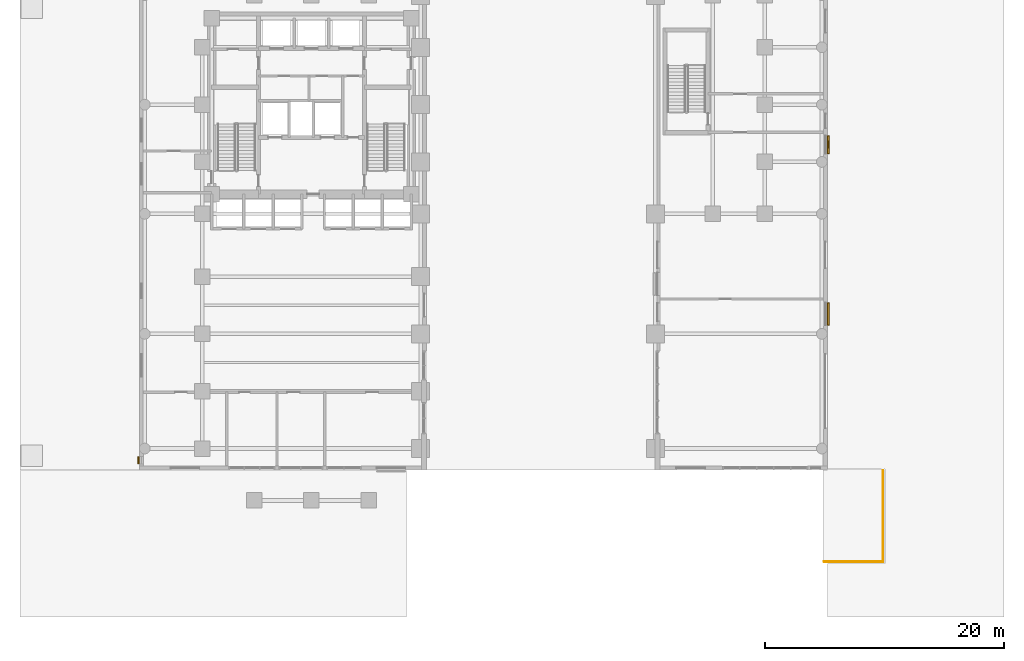
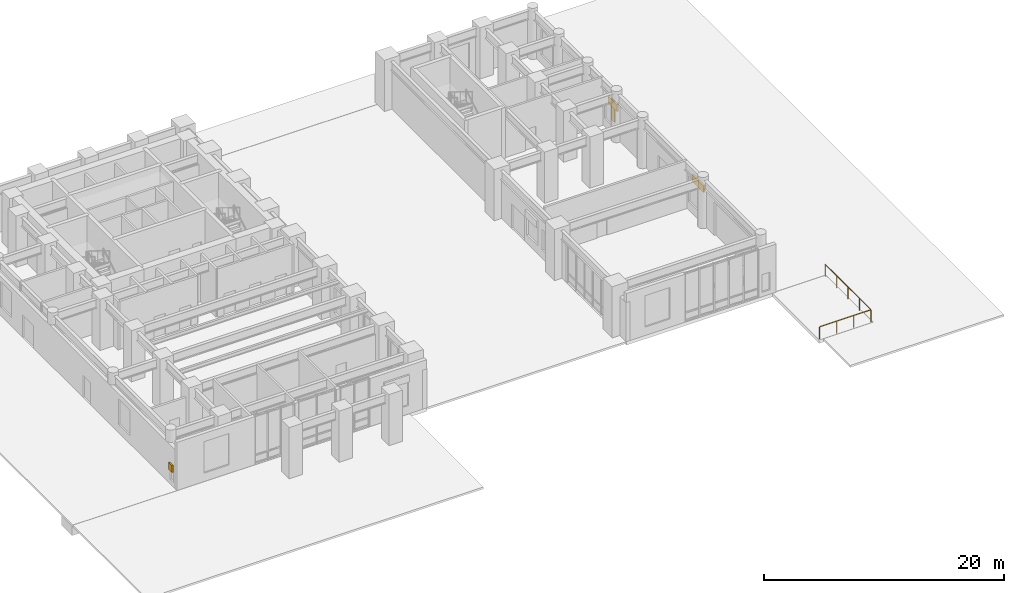
# One storey, part 16 of 16: 4 shading devices, 1 railing.
"""IFC4 building model written with IfcOpenShell, lengths in metres."""

import ifcopenshell
import ifcopenshell.guid

model = None  # the IFC model being written
_history = None  # IfcOwnerHistory: only IFC2X3 demands one
_inside = {}  # id of a spatial element -> (the spatial element, [elements in it])
_under = {}  # id of a project, library or spatial element -> (it, [spatial elements below it])
_declared = {}  # id of a project -> (the project, [libraries it declares])
_typed = {}  # id of a type object -> (the type object, [elements of that type])
_made_of = {}  # id of a material, layer set ... -> (it, [elements and type objects made of it])


def new_model(schema):
    """Start an empty IFC model of exactly this schema.

    Asked for "IFC4X3", IfcOpenShell would pick the latest addendum, in which some entities
    have other attributes; the version numbers below select the first issue.
    IFC2X3 requires an IfcOwnerHistory on every rooted entity: one is made here for all.
    """
    global model, _history
    if schema == "IFC4X3":
        model = ifcopenshell.file(schema_version=(4, 3, 0, 0))
    else:
        model = ifcopenshell.file(schema=schema)
    _inside.clear()
    _under.clear()
    _declared.clear()
    _typed.clear()
    _made_of.clear()
    _history = None
    if model.schema == "IFC2X3":
        org = make("IfcOrganization", Name="unknown")
        user = make(
            "IfcPersonAndOrganization",
            ThePerson=make("IfcPerson", FamilyName="unknown"),
            TheOrganization=org,
        )
        app = make(
            "IfcApplication",
            ApplicationDeveloper=org,
            Version="unknown",
            ApplicationFullName="unknown",
            ApplicationIdentifier="unknown",
        )
        _history = make(
            "IfcOwnerHistory",
            OwningUser=user,
            OwningApplication=app,
            ChangeAction="ADDED",
            CreationDate=0,
        )
    return model


def make(cls, **values):
    """One entity of the class cls with the attributes given. An attribute that is None is left unset."""
    return model.create_entity(
        cls, **{name: value for name, value in values.items() if value is not None}
    )


def rooted(cls, **values):
    """An entity with a GlobalId (a new one), such as an element, a storey or a relation."""
    return make(cls, GlobalId=ifcopenshell.guid.new(), OwnerHistory=_history, **values)


def si_unit(unit_type, name, prefix=None):
    """IfcSIUnit, for example si_unit("LENGTHUNIT", "METRE", prefix="MILLI")."""
    return make("IfcSIUnit", UnitType=unit_type, Prefix=prefix, Name=name)


def assignment(units):
    """IfcUnitAssignment: the units of a project."""
    return None if units is None else make("IfcUnitAssignment", Units=units)


def point(xyz):
    """IfcCartesianPoint."""
    return None if xyz is None else make("IfcCartesianPoint", Coordinates=xyz)


def direction(xyz):
    """IfcDirection."""
    return None if xyz is None else make("IfcDirection", DirectionRatios=xyz)


def frame(location, z_axis=None, x_axis=None):
    """IfcAxis2Placement3D, a coordinate frame: its origin and axes. An axis left out is left unset."""
    return make(
        "IfcAxis2Placement3D",
        Location=point(location),
        Axis=direction(z_axis),
        RefDirection=direction(x_axis),
    )


def frame_2d(location, x_axis=None):
    """IfcAxis2Placement2D, a coordinate frame in the plane: its origin and x axis."""
    return make(
        "IfcAxis2Placement2D", Location=point(location), RefDirection=direction(x_axis)
    )


def origin():
    """The frame at (0, 0, 0) with its axes left unset."""
    return frame((0.0, 0.0, 0.0))


def origin_2d():
    """The frame at (0, 0) in the plane with its x axis left unset."""
    return frame_2d((0.0, 0.0))


def place(relative_to, where):
    """IfcLocalPlacement: puts the frame where relative to a parent placement (None: the world)."""
    return make(
        "IfcLocalPlacement", PlacementRelTo=relative_to, RelativePlacement=where
    )


def context(
    kind, dimensions, precision=None, world=None, true_north=None, identifier=None
):
    """IfcGeometricRepresentationContext, for example the 3D "Model" context."""
    return make(
        "IfcGeometricRepresentationContext",
        ContextIdentifier=identifier,
        ContextType=kind,
        CoordinateSpaceDimension=dimensions,
        Precision=precision,
        WorldCoordinateSystem=world,
        TrueNorth=true_north,
    )


def subcontext(parent, identifier, kind, view, scale=None):
    """IfcGeometricRepresentationSubContext, for example "Body" below "Model"."""
    return make(
        "IfcGeometricRepresentationSubContext",
        ContextIdentifier=identifier,
        ContextType=kind,
        ParentContext=parent,
        TargetScale=scale,
        TargetView=view,
    )


def project(units=None, contexts=None):
    """IfcProject with its units and contexts."""
    return rooted(
        "IfcProject",
        Name="project",
        RepresentationContexts=contexts,
        UnitsInContext=assignment(units),
    )


def spatial(cls, under=None, at=None, **own):
    """A site, building, storey or space (cls), placed at a placement, below another one or the project."""
    s = rooted(cls, ObjectPlacement=at, **own)
    if under is not None:
        _under.setdefault(under.id(), (under, []))[1].append(s)
    return s


def profile(cls, at=None, kind="AREA", **sizes):
    """A parametric profile (cls). Its sizes go by their IFC names, for example OverallWidth=200.0."""
    return make(cls, ProfileType=kind, Position=at, **sizes)


def rectangle(**sizes):
    """IfcRectangleProfileDef."""
    return profile("IfcRectangleProfileDef", **sizes)


def extrude(swept, where, along, depth):
    """IfcExtrudedAreaSolid: the profile swept, set in the frame where, extruded along a direction by depth."""
    return make(
        "IfcExtrudedAreaSolid",
        SweptArea=swept,
        Position=where,
        ExtrudedDirection=direction(along),
        Depth=depth,
    )


def shape(context_of_items, identifier, shape_type, items):
    """IfcShapeRepresentation: the items that make up one representation, for example the "Body"."""
    return make(
        "IfcShapeRepresentation",
        ContextOfItems=context_of_items,
        RepresentationIdentifier=identifier,
        RepresentationType=shape_type,
        Items=items,
    )


def material(Name=None, Category=None):
    """IfcMaterial."""
    return make("IfcMaterial", Name=Name, Category=Category)


def made_of(thing, what):
    """Note that an element or type object is made of a material, layer set ...; save() writes the relation."""
    if what is not None:
        _made_of.setdefault(what.id(), (what, []))[1].append(thing)
    return thing


def type_object(cls, material=None, **own):
    """A type object (cls), such as IfcWallType, which elements share."""
    return made_of(rooted(cls, **own), material)


def element(
    cls,
    number,
    at=None,
    inside=None,
    cuts=None,
    type_object=None,
    material=None,
    context=None,
    identifier="Body",
    shape_type=None,
    held_by="IfcProductDefinitionShape",
    body=None,
    shapes=None,
    **own,
):
    """One element of the class cls, such as IfcWall. Its Tag is "e" and its number.

    at: its placement. inside: the storey or other place that contains it. cuts: it is an
    opening in that element (IfcRelVoidsElement). A single representation is given by context,
    identifier, shape_type and body (its items); several are given by shapes. held_by: the class
    of the entity that holds the representations. save() writes the other relations.
    """
    e = rooted(cls, Tag="e%d" % number, ObjectPlacement=at, **own)
    if body is not None:
        shapes = [shape(context, identifier, shape_type, body)]
    if shapes is not None:
        e.Representation = make(held_by, Representations=shapes)
    if inside is not None:
        _inside.setdefault(inside.id(), (inside, []))[1].append(e)
    if cuts is not None:
        rooted(
            "IfcRelVoidsElement", RelatingBuildingElement=cuts, RelatedOpeningElement=e
        )
    if type_object is not None:
        _typed.setdefault(type_object.id(), (type_object, []))[1].append(e)
    return made_of(e, material)


def aggregate(whole, parts):
    """IfcRelAggregates: a whole, such as a stair, and the parts it consists of."""
    return rooted("IfcRelAggregates", RelatingObject=whole, RelatedObjects=parts)


def save(model, path):
    """Write the relations noted so far, then the file.

    IfcRelAggregates (storeys below a building ...), IfcRelContainedInSpatialStructure (elements
    in a storey), IfcRelDefinesByType, IfcRelAssociatesMaterial and IfcRelDeclares: one each for
    every whole, place, type object, material and project.
    """
    for whole, parts in _under.values():
        aggregate(whole, parts)
    for where, things in _inside.values():
        rooted(
            "IfcRelContainedInSpatialStructure",
            RelatedElements=things,
            RelatingStructure=where,
        )
    for kind, things in _typed.values():
        rooted("IfcRelDefinesByType", RelatedObjects=things, RelatingType=kind)
    for what, things in _made_of.values():
        rooted("IfcRelAssociatesMaterial", RelatedObjects=things, RelatingMaterial=what)
    for by, libraries in _declared.values():
        rooted("IfcRelDeclares", RelatingContext=by, RelatedDefinitions=libraries)
    model.write(path)


model = new_model("IFC4")

# Units and contexts
model_context = context("Model", 3, precision=1e-05, world=origin(), true_north=direction((0.0, 1.0)))
body_context = subcontext(model_context, "Body", "Model", "MODEL_VIEW")
ifc_project = project(units=[si_unit("LENGTHUNIT", "METRE"), si_unit("AREAUNIT", "SQUARE_METRE"), si_unit("VOLUMEUNIT", "CUBIC_METRE"), si_unit("PLANEANGLEUNIT", "RADIAN"), si_unit("MASSUNIT", "GRAM", prefix="KILO")], contexts=[model_context])

# Site, building, storey
site_placement = place(None, origin())
site = spatial("IfcSite", under=ifc_project, at=site_placement, CompositionType="ELEMENT")
building_placement = place(site_placement, origin())
building = spatial("IfcBuilding", under=site, at=building_placement, Name="Orvandelia Arch Residences", CompositionType="ELEMENT")
storey_placement = place(building_placement, origin())
storey = spatial("IfcBuildingStorey", under=building, at=storey_placement, Name="L00", CompositionType="ELEMENT", Elevation=0.0)

# Railing
ifc_material_1 = material(Name="Marine-Grade Stainless Steel 316", Category="steel")
railing_type = type_object("IfcRailingType", Name="GRD-TERR-1250", PredefinedType="GUARDRAIL", material=ifc_material_1)
railing_placement = place(storey_placement, frame((57.340087890625, 0.1201171875, 0.0)))
element("IfcRailing", 1, at=railing_placement, inside=storey, type_object=railing_type, Name="Ground Vehicle Ramp Apron Perimeter Guard", PredefinedType="GUARDRAIL", context=body_context, shape_type="SweptSolid", body=[
    extrude(rectangle(XDim=0.048095703125, YDim=0.048095703125, at=origin_2d()), frame((0.0, 0.0, 1.22607421875), z_axis=(1.0, 0.0, 0.0), x_axis=(0.0, 1.0, 0.0)), (0.0, 0.0, 1.0), 4.93994140625),
    extrude(rectangle(XDim=0.048095703125, YDim=0.048095703125, at=origin_2d()), frame((4.93994140625, 0.0, 1.22607421875), z_axis=(0.0, 1.0, 0.0), x_axis=(-1.0, 0.0, 0.0)), (0.0, 0.0, 1.0), 7.619873046875),
    extrude(rectangle(XDim=0.0419921875, YDim=0.0419921875, at=origin_2d()), origin(), (0.0, 0.0, 1.0), 1.201904296875),
    extrude(rectangle(XDim=0.0419921875, YDim=0.0419921875, at=origin_2d()), frame((1.646728515625, 0.0, 0.0)), (0.0, 0.0, 1.0), 1.201904296875),
    extrude(rectangle(XDim=0.0419921875, YDim=0.0419921875, at=origin_2d()), frame((3.293212890625, 0.0, 0.0)), (0.0, 0.0, 1.0), 1.201904296875),
    extrude(rectangle(XDim=0.0419921875, YDim=0.0419921875, at=origin_2d()), frame((4.93994140625, 0.0, 0.0)), (0.0, 0.0, 1.0), 1.201904296875),
    extrude(rectangle(XDim=0.0419921875, YDim=0.0419921875, at=origin_2d()), frame((4.93994140625, 1.905029296875, 0.0)), (0.0, 0.0, 1.0), 1.201904296875),
    extrude(rectangle(XDim=0.0419921875, YDim=0.0419921875, at=origin_2d()), frame((4.93994140625, 3.81005859375, 0.0)), (0.0, 0.0, 1.0), 1.201904296875),
    extrude(rectangle(XDim=0.0419921875, YDim=0.0419921875, at=origin_2d()), frame((4.93994140625, 5.71484375, 0.0)), (0.0, 0.0, 1.0), 1.201904296875),
    extrude(rectangle(XDim=0.0419921875, YDim=0.0419921875, at=origin_2d()), frame((4.93994140625, 7.619873046875, 0.0)), (0.0, 0.0, 1.0), 1.201904296875),
])

# Shading devices
ifc_material_2 = material(Name="Anodised Champagne-Bronze Extruded Aluminium", Category="aluminium")
shading_device_type_1 = type_object("IfcShadingDeviceType", Name="SHD-JALOUSIE-SCREEN", PredefinedType="JALOUSIE", material=ifc_material_2)
shading_device_1_placement = place(storey_placement, frame((-0.080078125, 8.625, 1.5498046875), z_axis=(0.0, 0.0, 1.0), x_axis=(0.0, 1.0, 0.0)))
element("IfcShadingDevice", 2, at=shading_device_1_placement, inside=storey, type_object=shading_device_type_1, Name="Bronze Jalousie Sun-Shade L00-002", PredefinedType="JALOUSIE", context=body_context, shape_type="SweptSolid", body=[
    extrude(rectangle(XDim=0.60009765625, YDim=0.159912109375, at=origin_2d()), origin(), (0.0, 0.0, 1.0), 0.699951171875),
])
shading_device_2_placement = place(storey_placement, frame((57.679931640625, 35.050048828125, 2.25), z_axis=(0.0, 0.0, 1.0), x_axis=(0.0, -1.0, 0.0)))
element("IfcShadingDevice", 3, at=shading_device_2_placement, inside=storey, type_object=shading_device_type_1, Name="Bronze Jalousie Sun-Shade L00-003", PredefinedType="JALOUSIE", context=body_context, shape_type="SweptSolid", body=[
    extrude(rectangle(XDim=1.5, YDim=0.159912109375, at=origin_2d()), origin(), (0.0, 0.0, 1.0), 0.699951171875),
])
shading_device_3_placement = place(storey_placement, frame((57.679931640625, 20.875, 2.75), z_axis=(0.0, 0.0, 1.0), x_axis=(0.0, -1.0, 0.0)))
element("IfcShadingDevice", 4, at=shading_device_3_placement, inside=storey, type_object=shading_device_type_1, Name="Bronze Jalousie Sun-Shade L00-004", PredefinedType="JALOUSIE", context=body_context, shape_type="SweptSolid", body=[
    extrude(rectangle(XDim=1.89990234375, YDim=0.159912109375, at=origin_2d()), origin(), (0.0, 0.0, 1.0), 0.699951171875),
])
ifc_material_3 = material(Name="Marine-Grade Perforated Aluminium Storm Shutter", Category="aluminium")
shading_device_type_2 = type_object("IfcShadingDeviceType", Name="SHD-STORM-SHUTTER", PredefinedType="SHUTTER", material=ifc_material_3)
shading_device_4_placement = place(storey_placement, frame((57.679931640625, 35.050048828125, 0.849853515625), z_axis=(0.0, 0.0, 1.0), x_axis=(0.0, -1.0, 0.0)))
element("IfcShadingDevice", 5, at=shading_device_4_placement, inside=storey, type_object=shading_device_type_2, Name="Operable Typhoon Storm Shutter L00-003", PredefinedType="SHUTTER", context=body_context, shape_type="SweptSolid", body=[
    extrude(rectangle(XDim=0.550048828125, YDim=0.080078125, at=origin_2d()), origin(), (0.0, 0.0, 1.0), 2.10009765625),
])

save(model, "model.ifc")
